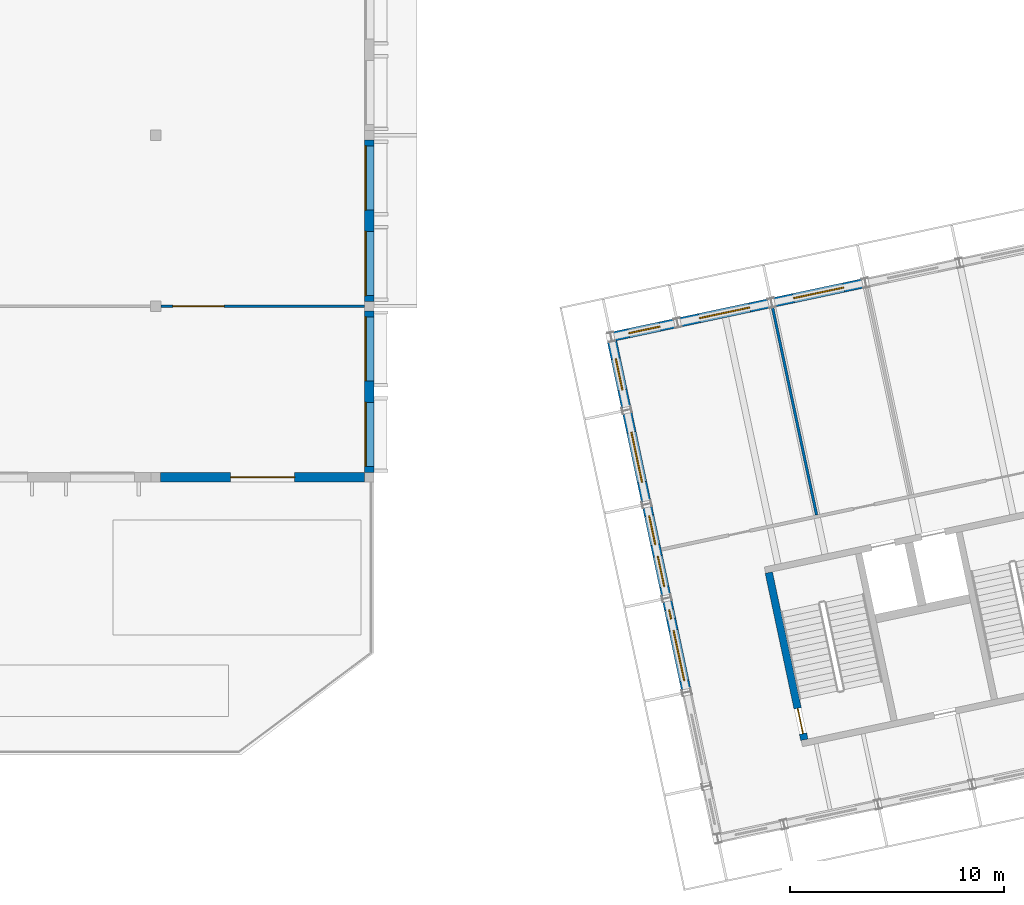
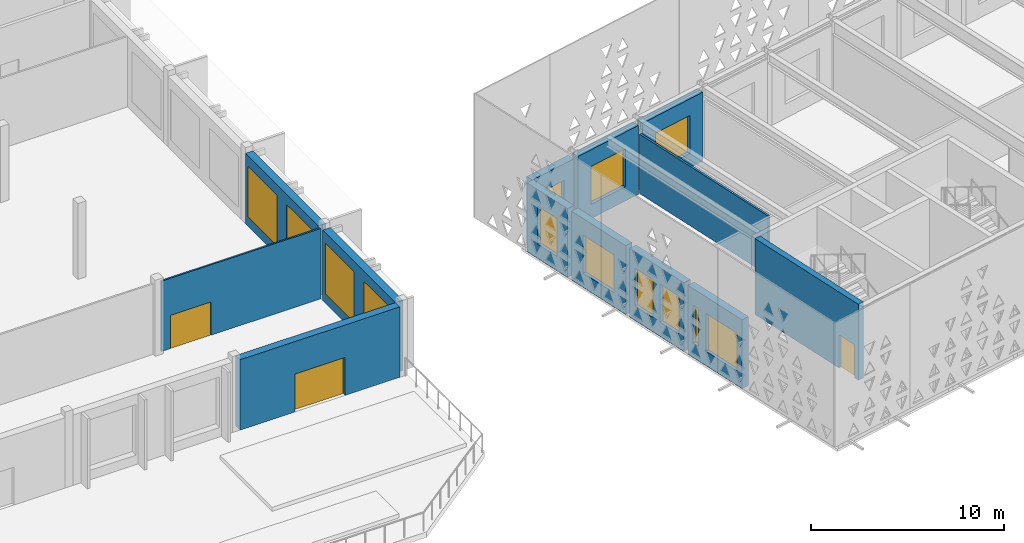
# One storey, part 114 of 196: 13 walls, 13 windows, 3 doors, 16 openings.
"""IFC4 building model written with IfcOpenShell, lengths in metres."""

from ifc_helpers import new_model, si_unit, direction, frame, frame_2d, origin, place, context, subcontext, project, spatial, rectangle, extrude, material, layer, layer_set, type_object, element, fill, save


model = new_model("IFC4")

# Units and contexts
model_context = context("Model", 3, precision=1e-05, world=origin(), true_north=direction((0.0, 1.0)))
body_context = subcontext(model_context, "Body", "Model", "MODEL_VIEW")
ifc_project = project(units=[si_unit("LENGTHUNIT", "METRE"), si_unit("AREAUNIT", "SQUARE_METRE"), si_unit("VOLUMEUNIT", "CUBIC_METRE"), si_unit("PLANEANGLEUNIT", "RADIAN"), si_unit("MASSUNIT", "GRAM", prefix="KILO")], contexts=[model_context])

# Site, building, storey
site_placement = place(None, origin())
site = spatial("IfcSite", under=ifc_project, at=site_placement, CompositionType="ELEMENT")
building_placement = place(site_placement, origin())
building = spatial("IfcBuilding", under=site, at=building_placement, Name="Okhra Congress Centre", CompositionType="ELEMENT")
storey_placement = place(building_placement, frame((0.0, 0.0, 12.0)))
storey = spatial("IfcBuildingStorey", under=building, at=storey_placement, Name="L02", CompositionType="ELEMENT", Elevation=12.0)

# Wall, opening, door
ifc_material_1 = material(Name="Insulated metal panel on steel stud (mineral wool, vapour barrier)", Category="steel")
ifc_layer_1 = layer(ifc_material_1, 0.449951171875)
ifc_layer_set_1 = layer_set([ifc_layer_1], Name="Insulated wall 450")
wall_type_1 = type_object("IfcWallType", Name="Insulated wall 450", PredefinedType="SOLIDWALL", material=ifc_layer_set_1)
wall_1_placement = place(storey_placement, frame((36.22509765625, 44.0, 0.0), z_axis=(0.0, 0.0, 1.0), x_axis=(1.0, 0.0, 0.0)))
wall_1 = element("IfcWall", 1, at=wall_1_placement, inside=storey, type_object=wall_type_1, Name="RS.WALL.L02.4", PredefinedType="SOLIDWALL", context=body_context, shape_type="SweptSolid", body=[
    extrude(rectangle(XDim=9.5498046875, YDim=0.449951171875, at=frame_2d((4.77490234375, 0.0))), origin(), (0.0, 0.0, 1.0), 4.449951171875),
])
opening_1_placement = place(wall_1_placement, frame((3.27490234375, 0.0, 0.0)))
opening_1 = element("IfcOpeningElement", 2, at=opening_1_placement, cuts=wall_1, Name="Opening L02-035", PredefinedType="OPENING", context=body_context, shape_type="SweptSolid", body=[
    extrude(rectangle(XDim=3.0, YDim=2.39990234375, at=frame_2d((1.5, 1.199951171875))), frame((0.0, 0.23486328125, 0.0), z_axis=(0.0, -1.0, 0.0), x_axis=(1.0, 0.0, 0.0)), (0.0, 0.0, 1.0), 0.469970703125),
])
ifc_material_2 = material(Name="Aluminium-framed toughened glass door leaves", Category="aluminium")
door_type_1 = type_object("IfcDoorType", Name="Aluminium glazed door pair 3000x2400", OperationType="NOTDEFINED", PredefinedType="DOOR", material=ifc_material_2)
door_1_placement = place(opening_1_placement, frame((3.0, 0.0, 0.0), z_axis=(0.0, 0.0, 1.0), x_axis=(-1.0, 0.0, 0.0)))
door_1 = element("IfcDoor", 3, at=door_1_placement, inside=storey, type_object=door_type_1, Name="Door L02-035", OperationType="DOUBLE_DOOR_SINGLE_SWING", OverallHeight=2.39990234375, OverallWidth=3.0, PredefinedType="DOOR", context=body_context, shape_type="SweptSolid", body=[
    extrude(rectangle(XDim=3.0, YDim=2.39990234375, at=frame_2d((1.5, 1.199951171875))), frame((0.0, 0.02490234375, 0.0), z_axis=(0.0, -1.0, 0.0), x_axis=(1.0, 0.0, 0.0)), (0.0, 0.0, 1.0), 0.050048828125),
])
fill(opening_1, door_1)

# Wall, openings, windows
wall_2_placement = place(storey_placement, frame((46.0, 44.22509765625, 0.0), z_axis=(0.0, 0.0, 1.0), x_axis=(0.0, 1.0, 0.0)))
wall_2 = element("IfcWall", 4, at=wall_2_placement, inside=storey, type_object=wall_type_1, Name="RS.WALL.L02.46", PredefinedType="SOLIDWALL", context=body_context, shape_type="SweptSolid", body=[
    extrude(rectangle(XDim=7.5498046875, YDim=0.449951171875, at=frame_2d((3.77490234375, 0.0))), origin(), (0.0, 0.0, 1.0), 4.449951171875),
])
opening_2_placement = place(wall_2_placement, frame((0.27490234375, 0.0, 0.60009765625)))
opening_2 = element("IfcOpeningElement", 5, at=opening_2_placement, cuts=wall_2, Name="Opening WN18", PredefinedType="OPENING", context=body_context, shape_type="SweptSolid", body=[
    extrude(rectangle(XDim=3.0, YDim=3.199951171875, at=frame_2d((1.5, 1.60009765625))), frame((0.0, 0.23486328125, 0.0), z_axis=(0.0, -1.0, 0.0), x_axis=(1.0, 0.0, 0.0)), (0.0, 0.0, 1.0), 0.469970703125),
])
opening_3_placement = place(wall_2_placement, frame((4.27490234375, 0.0, 0.60009765625)))
opening_3 = element("IfcOpeningElement", 6, at=opening_3_placement, cuts=wall_2, Name="Opening WN18", PredefinedType="OPENING", context=body_context, shape_type="SweptSolid", body=[
    extrude(rectangle(XDim=3.0, YDim=3.199951171875, at=frame_2d((1.5, 1.60009765625))), frame((0.0, 0.23486328125, 0.0), z_axis=(0.0, -1.0, 0.0), x_axis=(1.0, 0.0, 0.0)), (0.0, 0.0, 1.0), 0.469970703125),
])
ifc_material_3 = material(Name="Thermally broken aluminium frame, triple glazing", Category="aluminium")
window_type_1 = type_object("IfcWindowType", Name="Fixed window 3000x3200", PartitioningType="SINGLE_PANEL", PredefinedType="WINDOW", material=ifc_material_3)
window_1_placement = place(opening_2_placement, origin())
window_1 = element("IfcWindow", 7, at=window_1_placement, inside=storey, type_object=window_type_1, Name="RS.WIN.L02.15", OverallHeight=3.199951171875, OverallWidth=3.0, PartitioningType="SINGLE_PANEL", PredefinedType="WINDOW", context=body_context, shape_type="SweptSolid", body=[
    extrude(rectangle(XDim=3.0, YDim=3.199951171875, at=frame_2d((1.5, 1.60009765625))), frame((0.0, 0.215087890625, 0.0), z_axis=(0.0, -1.0, 0.0), x_axis=(1.0, 0.0, 0.0)), (0.0, 0.0, 1.0), 0.06005859375),
])
fill(opening_2, window_1)
window_2_placement = place(opening_3_placement, origin())
window_2 = element("IfcWindow", 8, at=window_2_placement, inside=storey, type_object=window_type_1, Name="RS.WIN.L02.16", OverallHeight=3.199951171875, OverallWidth=3.0, PartitioningType="SINGLE_PANEL", PredefinedType="WINDOW", context=body_context, shape_type="SweptSolid", body=[
    extrude(rectangle(XDim=3.0, YDim=3.199951171875, at=frame_2d((1.5, 1.60009765625))), frame((0.0, 0.215087890625, 0.0), z_axis=(0.0, -1.0, 0.0), x_axis=(1.0, 0.0, 0.0)), (0.0, 0.0, 1.0), 0.06005859375),
])
fill(opening_3, window_2)

wall_3_placement = place(storey_placement, frame((46.0, 52.22509765625, 0.0), z_axis=(0.0, 0.0, 1.0), x_axis=(0.0, 1.0, 0.0)))
wall_3 = element("IfcWall", 9, at=wall_3_placement, inside=storey, type_object=wall_type_1, Name="RS.WALL.L02.47", PredefinedType="SOLIDWALL", context=body_context, shape_type="SweptSolid", body=[
    extrude(rectangle(XDim=7.5498046875, YDim=0.449951171875, at=frame_2d((3.77490234375, 0.0))), origin(), (0.0, 0.0, 1.0), 4.449951171875),
])
opening_4_placement = place(wall_3_placement, frame((0.27490234375, 0.0, 0.60009765625)))
opening_4 = element("IfcOpeningElement", 10, at=opening_4_placement, cuts=wall_3, Name="Opening WN18", PredefinedType="OPENING", context=body_context, shape_type="SweptSolid", body=[
    extrude(rectangle(XDim=3.0, YDim=3.199951171875, at=frame_2d((1.5, 1.60009765625))), frame((0.0, 0.23486328125, 0.0), z_axis=(0.0, -1.0, 0.0), x_axis=(1.0, 0.0, 0.0)), (0.0, 0.0, 1.0), 0.469970703125),
])
opening_5_placement = place(wall_3_placement, frame((4.27490234375, 0.0, 0.60009765625)))
opening_5 = element("IfcOpeningElement", 11, at=opening_5_placement, cuts=wall_3, Name="Opening WN18", PredefinedType="OPENING", context=body_context, shape_type="SweptSolid", body=[
    extrude(rectangle(XDim=3.0, YDim=3.199951171875, at=frame_2d((1.5, 1.60009765625))), frame((0.0, 0.23486328125, 0.0), z_axis=(0.0, -1.0, 0.0), x_axis=(1.0, 0.0, 0.0)), (0.0, 0.0, 1.0), 0.469970703125),
])
window_3_placement = place(opening_4_placement, origin())
window_3 = element("IfcWindow", 12, at=window_3_placement, inside=storey, type_object=window_type_1, Name="RS.WIN.L02.17", OverallHeight=3.199951171875, OverallWidth=3.0, PartitioningType="SINGLE_PANEL", PredefinedType="WINDOW", context=body_context, shape_type="SweptSolid", body=[
    extrude(rectangle(XDim=3.0, YDim=3.199951171875, at=frame_2d((1.5, 1.60009765625))), frame((0.0, 0.215087890625, 0.0), z_axis=(0.0, -1.0, 0.0), x_axis=(1.0, 0.0, 0.0)), (0.0, 0.0, 1.0), 0.06005859375),
])
fill(opening_4, window_3)
window_4_placement = place(opening_5_placement, origin())
window_4 = element("IfcWindow", 13, at=window_4_placement, inside=storey, type_object=window_type_1, Name="RS.WIN.L02.18", OverallHeight=3.199951171875, OverallWidth=3.0, PartitioningType="SINGLE_PANEL", PredefinedType="WINDOW", context=body_context, shape_type="SweptSolid", body=[
    extrude(rectangle(XDim=3.0, YDim=3.199951171875, at=frame_2d((1.5, 1.60009765625))), frame((0.0, 0.215087890625, 0.0), z_axis=(0.0, -1.0, 0.0), x_axis=(1.0, 0.0, 0.0)), (0.0, 0.0, 1.0), 0.06005859375),
])
fill(opening_5, window_4)

# Wall, opening, window
wall_4_placement = place(storey_placement, frame((57.4638671875, 50.591552734375, 0.0), z_axis=(0.0, 0.0, 1.0), x_axis=(0.978155181918, 0.207876020951, 0.0)))
wall_4 = element("IfcWall", 14, at=wall_4_placement, inside=storey, type_object=wall_type_1, Name="External wall N1 L02", PredefinedType="SOLIDWALL", context=body_context, shape_type="SweptSolid", body=[
    extrude(rectangle(XDim=2.875, YDim=0.449951171875, at=frame_2d((1.4375, 0.0))), origin(), (0.0, 0.0, 1.0), 4.35009765625),
])
opening_6_placement = place(wall_4_placement, frame((0.6875, 0.0, 0.89990234375)))
opening_6 = element("IfcOpeningElement", 15, at=opening_6_placement, cuts=wall_4, Name="Opening WN20", PredefinedType="OPENING", context=body_context, shape_type="SweptSolid", body=[
    extrude(rectangle(XDim=1.5, YDim=2.39990234375, at=frame_2d((0.75, 1.199951171875))), frame((0.0, 0.23486328125, 0.0), z_axis=(0.0, -1.0, 0.0), x_axis=(1.0, 0.0, 0.0)), (0.0, 0.0, 1.0), 0.469970703125),
])
window_type_2 = type_object("IfcWindowType", Name="Fixed window 1500x2400", PartitioningType="SINGLE_PANEL", PredefinedType="WINDOW", material=ifc_material_3)
window_5_placement = place(opening_6_placement, origin())
window_5 = element("IfcWindow", 16, at=window_5_placement, inside=storey, type_object=window_type_2, Name="BX.WIN.L02.37", OverallHeight=2.39990234375, OverallWidth=1.5, PartitioningType="SINGLE_PANEL", PredefinedType="WINDOW", context=body_context, shape_type="SweptSolid", body=[
    extrude(rectangle(XDim=1.5, YDim=2.39990234375, at=frame_2d((0.75, 1.199951171875))), frame((0.0, 0.030029296875, 0.0), z_axis=(0.0, -1.0, 0.0), x_axis=(1.0, 0.0, 0.0)), (0.0, 0.0, 1.0), 0.06005859375),
])
fill(opening_6, window_5)

wall_5_placement = place(storey_placement, frame((60.569580078125, 51.25146484375, 0.0), z_axis=(0.0, 0.0, 1.0), x_axis=(0.978143927149, 0.207928972925, 0.0)))
wall_5 = element("IfcWall", 17, at=wall_5_placement, inside=storey, type_object=wall_type_1, Name="External wall N2 L02", PredefinedType="SOLIDWALL", context=body_context, shape_type="SweptSolid", body=[
    extrude(rectangle(XDim=4.199951171875, YDim=0.449951171875, at=frame_2d((2.10009765625, 0.0))), origin(), (0.0, 0.0, 1.0), 4.35009765625),
])
opening_7_placement = place(wall_5_placement, frame((0.89990234375, 0.0, 0.89990234375)))
opening_7 = element("IfcOpeningElement", 18, at=opening_7_placement, cuts=wall_5, Name="Opening WN22", PredefinedType="OPENING", context=body_context, shape_type="SweptSolid", body=[
    extrude(rectangle(XDim=2.39990234375, YDim=2.39990234375, at=frame_2d((1.199951171875, 1.199951171875))), frame((0.0, 0.23486328125, 0.0), z_axis=(0.0, -1.0, 0.0), x_axis=(1.0, 0.0, 0.0)), (0.0, 0.0, 1.0), 0.469970703125),
])
window_type_3 = type_object("IfcWindowType", Name="Fixed window 2400x2400", PartitioningType="SINGLE_PANEL", PredefinedType="WINDOW", material=ifc_material_3)
window_6_placement = place(opening_7_placement, origin())
window_6 = element("IfcWindow", 19, at=window_6_placement, inside=storey, type_object=window_type_3, Name="BX.WIN.L02.38", OverallHeight=2.39990234375, OverallWidth=2.39990234375, PartitioningType="SINGLE_PANEL", PredefinedType="WINDOW", context=body_context, shape_type="SweptSolid", body=[
    extrude(rectangle(XDim=2.39990234375, YDim=2.39990234375, at=frame_2d((1.199951171875, 1.199951171875))), frame((0.0, 0.030029296875, 0.0), z_axis=(0.0, -1.0, 0.0), x_axis=(1.0, 0.0, 0.0)), (0.0, 0.0, 1.0), 0.06005859375),
])
fill(opening_7, window_6)

wall_6_placement = place(storey_placement, frame((64.97119140625, 52.187255859375, 0.0), z_axis=(0.0, 0.0, 1.0), x_axis=(0.978155748334, 0.207873355681, 0.0)))
wall_6 = element("IfcWall", 20, at=wall_6_placement, inside=storey, type_object=wall_type_1, Name="External wall N3 L02", PredefinedType="SOLIDWALL", context=body_context, shape_type="SweptSolid", body=[
    extrude(rectangle(XDim=4.199951171875, YDim=0.449951171875, at=frame_2d((2.10009765625, 0.0))), origin(), (0.0, 0.0, 1.0), 4.35009765625),
])
opening_8_placement = place(wall_6_placement, frame((0.89990234375, 0.0, 0.89990234375)))
opening_8 = element("IfcOpeningElement", 21, at=opening_8_placement, cuts=wall_6, Name="Opening WN22", PredefinedType="OPENING", context=body_context, shape_type="SweptSolid", body=[
    extrude(rectangle(XDim=2.39990234375, YDim=2.39990234375, at=frame_2d((1.199951171875, 1.199951171875))), frame((0.0, 0.23486328125, 0.0), z_axis=(0.0, -1.0, 0.0), x_axis=(1.0, 0.0, 0.0)), (0.0, 0.0, 1.0), 0.469970703125),
])
window_7_placement = place(opening_8_placement, origin())
window_7 = element("IfcWindow", 22, at=window_7_placement, inside=storey, type_object=window_type_3, Name="BX.WIN.L02.39", OverallHeight=2.39990234375, OverallWidth=2.39990234375, PartitioningType="SINGLE_PANEL", PredefinedType="WINDOW", context=body_context, shape_type="SweptSolid", body=[
    extrude(rectangle(XDim=2.39990234375, YDim=2.39990234375, at=frame_2d((1.199951171875, 1.199951171875))), frame((0.0, 0.030029296875, 0.0), z_axis=(0.0, -1.0, 0.0), x_axis=(1.0, 0.0, 0.0)), (0.0, 0.0, 1.0), 0.06005859375),
])
fill(opening_8, window_7)

# Wall, openings, windows
wall_7_placement = place(storey_placement, frame((60.821533203125, 34.073486328125, 0.0), z_axis=(0.0, 0.0, 1.0), x_axis=(-0.207917150959, 0.978146440129, 0.0)))
wall_7 = element("IfcWall", 23, at=wall_7_placement, inside=storey, type_object=wall_type_1, Name="External wall W3 L02", PredefinedType="SOLIDWALL", context=body_context, shape_type="SweptSolid", body=[
    extrude(rectangle(XDim=4.2001953125, YDim=0.449951171875, at=frame_2d((2.10009765625, 0.0))), origin(), (0.0, 0.0, 1.0), 4.35009765625),
])
opening_9_placement = place(wall_7_placement, frame((0.39990234375, 0.0, 0.89990234375)))
opening_9 = element("IfcOpeningElement", 24, at=opening_9_placement, cuts=wall_7, Name="Opening WN26", PredefinedType="OPENING", context=body_context, shape_type="SweptSolid", body=[
    extrude(rectangle(XDim=2.405029296875, YDim=2.39990234375, at=frame_2d((1.20263671875, 1.199951171875))), frame((0.0, 0.23486328125, 0.0), z_axis=(0.0, -1.0, 0.0), x_axis=(1.0, 0.0, 0.0)), (0.0, 0.0, 1.0), 0.469970703125),
])
opening_10_placement = place(wall_7_placement, frame((3.35498046875, 0.0, 0.89990234375)))
opening_10 = element("IfcOpeningElement", 25, at=opening_10_placement, cuts=wall_7, Name="Opening WN27", PredefinedType="OPENING", context=body_context, shape_type="SweptSolid", body=[
    extrude(rectangle(XDim=0.445068359375, YDim=2.39990234375, at=frame_2d((0.22265625, 1.199951171875))), frame((0.0, 0.23486328125, 0.0), z_axis=(0.0, -1.0, 0.0), x_axis=(1.0, 0.0, 0.0)), (0.0, 0.0, 1.0), 0.469970703125),
])
window_type_4 = type_object("IfcWindowType", Name="Fixed window 2405x2400", PartitioningType="SINGLE_PANEL", PredefinedType="WINDOW", material=ifc_material_3)
window_8_placement = place(opening_9_placement, origin())
window_8 = element("IfcWindow", 26, at=window_8_placement, inside=storey, type_object=window_type_4, Name="BX.WIN.L02.66", OverallHeight=2.39990234375, OverallWidth=2.405029296875, PartitioningType="SINGLE_PANEL", PredefinedType="WINDOW", context=body_context, shape_type="SweptSolid", body=[
    extrude(rectangle(XDim=2.405029296875, YDim=2.39990234375, at=frame_2d((1.20263671875, 1.199951171875))), frame((0.0, 0.030029296875, 0.0), z_axis=(0.0, -1.0, 0.0), x_axis=(1.0, 0.0, 0.0)), (0.0, 0.0, 1.0), 0.06005859375),
])
fill(opening_9, window_8)
window_type_5 = type_object("IfcWindowType", Name="Fixed window 445x2400", PartitioningType="SINGLE_PANEL", PredefinedType="WINDOW", material=ifc_material_3)
window_9_placement = place(opening_10_placement, origin())
window_9 = element("IfcWindow", 27, at=window_9_placement, inside=storey, type_object=window_type_5, Name="BX.WIN.L02.67", OverallHeight=2.39990234375, OverallWidth=0.445068359375, PartitioningType="SINGLE_PANEL", PredefinedType="WINDOW", context=body_context, shape_type="SweptSolid", body=[
    extrude(rectangle(XDim=0.445068359375, YDim=2.39990234375, at=frame_2d((0.22265625, 1.199951171875))), frame((0.0, 0.030029296875, 0.0), z_axis=(0.0, -1.0, 0.0), x_axis=(1.0, 0.0, 0.0)), (0.0, 0.0, 1.0), 0.06005859375),
])
fill(opening_10, window_9)

wall_8_placement = place(storey_placement, frame((59.885986328125, 38.475341796875, 0.0), z_axis=(0.0, 0.0, 1.0), x_axis=(-0.207928972925, 0.978143927149, 0.0)))
wall_8 = element("IfcWall", 28, at=wall_8_placement, inside=storey, type_object=wall_type_1, Name="External wall W4 L02", PredefinedType="SOLIDWALL", context=body_context, shape_type="SweptSolid", body=[
    extrude(rectangle(XDim=4.199951171875, YDim=0.449951171875, at=frame_2d((2.10009765625, 0.0))), origin(), (0.0, 0.0, 1.0), 4.35009765625),
])
opening_11_placement = place(wall_8_placement, frame((0.39990234375, 0.0, 0.89990234375)))
opening_11 = element("IfcOpeningElement", 29, at=opening_11_placement, cuts=wall_8, Name="Opening WN28", PredefinedType="OPENING", context=body_context, shape_type="SweptSolid", body=[
    extrude(rectangle(XDim=1.455078125, YDim=2.39990234375, at=frame_2d((0.7275390625, 1.199951171875))), frame((0.0, 0.23486328125, 0.0), z_axis=(0.0, -1.0, 0.0), x_axis=(1.0, 0.0, 0.0)), (0.0, 0.0, 1.0), 0.469970703125),
])
opening_12_placement = place(wall_8_placement, frame((2.405029296875, 0.0, 0.89990234375)))
opening_12 = element("IfcOpeningElement", 30, at=opening_12_placement, cuts=wall_8, Name="Opening WN29", PredefinedType="OPENING", context=body_context, shape_type="SweptSolid", body=[
    extrude(rectangle(XDim=1.39501953125, YDim=2.39990234375, at=frame_2d((0.697509765625, 1.199951171875))), frame((0.0, 0.23486328125, 0.0), z_axis=(0.0, -1.0, 0.0), x_axis=(1.0, 0.0, 0.0)), (0.0, 0.0, 1.0), 0.469970703125),
])
window_type_6 = type_object("IfcWindowType", Name="Fixed window 1395x2400", PartitioningType="SINGLE_PANEL", PredefinedType="WINDOW", material=ifc_material_3)
window_10_placement = place(opening_12_placement, origin())
window_10 = element("IfcWindow", 31, at=window_10_placement, inside=storey, type_object=window_type_6, Name="BX.WIN.L02.69", OverallHeight=2.39990234375, OverallWidth=1.39501953125, PartitioningType="SINGLE_PANEL", PredefinedType="WINDOW", context=body_context, shape_type="SweptSolid", body=[
    extrude(rectangle(XDim=1.39501953125, YDim=2.39990234375, at=frame_2d((0.697509765625, 1.199951171875))), frame((0.0, 0.030029296875, 0.0), z_axis=(0.0, -1.0, 0.0), x_axis=(1.0, 0.0, 0.0)), (0.0, 0.0, 1.0), 0.06005859375),
])
fill(opening_12, window_10)
window_type_7 = type_object("IfcWindowType", Name="Fixed window 1455x2400", PartitioningType="SINGLE_PANEL", PredefinedType="WINDOW", material=ifc_material_3)
window_11_placement = place(opening_11_placement, origin())
window_11 = element("IfcWindow", 32, at=window_11_placement, inside=storey, type_object=window_type_7, Name="BX.WIN.L02.68", OverallHeight=2.39990234375, OverallWidth=1.455078125, PartitioningType="SINGLE_PANEL", PredefinedType="WINDOW", context=body_context, shape_type="SweptSolid", body=[
    extrude(rectangle(XDim=1.455078125, YDim=2.39990234375, at=frame_2d((0.7275390625, 1.199951171875))), frame((0.0, 0.030029296875, 0.0), z_axis=(0.0, -1.0, 0.0), x_axis=(1.0, 0.0, 0.0)), (0.0, 0.0, 1.0), 0.06005859375),
])
fill(opening_11, window_11)

# Wall, opening, window
wall_9_placement = place(storey_placement, frame((58.9501953125, 42.876953125, 0.0), z_axis=(0.0, 0.0, 1.0), x_axis=(-0.207873355681, 0.978155748334, 0.0)))
wall_9 = element("IfcWall", 33, at=wall_9_placement, inside=storey, type_object=wall_type_1, Name="External wall W5 L02", PredefinedType="SOLIDWALL", context=body_context, shape_type="SweptSolid", body=[
    extrude(rectangle(XDim=4.199951171875, YDim=0.449951171875, at=frame_2d((2.10009765625, 0.0))), origin(), (0.0, 0.0, 1.0), 4.35009765625),
])
opening_13_placement = place(wall_9_placement, frame((0.89990234375, 0.0, 0.89990234375)))
opening_13 = element("IfcOpeningElement", 34, at=opening_13_placement, cuts=wall_9, Name="Opening WN22", PredefinedType="OPENING", context=body_context, shape_type="SweptSolid", body=[
    extrude(rectangle(XDim=2.39990234375, YDim=2.39990234375, at=frame_2d((1.199951171875, 1.199951171875))), frame((0.0, 0.23486328125, 0.0), z_axis=(0.0, -1.0, 0.0), x_axis=(1.0, 0.0, 0.0)), (0.0, 0.0, 1.0), 0.469970703125),
])
window_12_placement = place(opening_13_placement, origin())
window_12 = element("IfcWindow", 35, at=window_12_placement, inside=storey, type_object=window_type_3, Name="BX.WIN.L02.70", OverallHeight=2.39990234375, OverallWidth=2.39990234375, PartitioningType="SINGLE_PANEL", PredefinedType="WINDOW", context=body_context, shape_type="SweptSolid", body=[
    extrude(rectangle(XDim=2.39990234375, YDim=2.39990234375, at=frame_2d((1.199951171875, 1.199951171875))), frame((0.0, 0.030029296875, 0.0), z_axis=(0.0, -1.0, 0.0), x_axis=(1.0, 0.0, 0.0)), (0.0, 0.0, 1.0), 0.06005859375),
])
fill(opening_13, window_12)

wall_10_placement = place(storey_placement, frame((58.0146484375, 47.278564453125, 0.0), z_axis=(0.0, 0.0, 1.0), x_axis=(-0.207933268122, 0.978143014087, 0.0)))
wall_10 = element("IfcWall", 36, at=wall_10_placement, inside=storey, type_object=wall_type_1, Name="External wall W6 L02", PredefinedType="SOLIDWALL", context=body_context, shape_type="SweptSolid", body=[
    extrude(rectangle(XDim=3.135009765625, YDim=0.449951171875, at=frame_2d((1.5673828125, 0.0))), origin(), (0.0, 0.0, 1.0), 4.35009765625),
])
opening_14_placement = place(wall_10_placement, frame((0.8173828125, 0.0, 0.89990234375)))
opening_14 = element("IfcOpeningElement", 37, at=opening_14_placement, cuts=wall_10, Name="Opening WN20", PredefinedType="OPENING", context=body_context, shape_type="SweptSolid", body=[
    extrude(rectangle(XDim=1.5, YDim=2.39990234375, at=frame_2d((0.75, 1.199951171875))), frame((0.0, 0.23486328125, 0.0), z_axis=(0.0, -1.0, 0.0), x_axis=(1.0, 0.0, 0.0)), (0.0, 0.0, 1.0), 0.469970703125),
])
window_13_placement = place(opening_14_placement, origin())
window_13 = element("IfcWindow", 38, at=window_13_placement, inside=storey, type_object=window_type_2, Name="BX.WIN.L02.71", OverallHeight=2.39990234375, OverallWidth=1.5, PartitioningType="SINGLE_PANEL", PredefinedType="WINDOW", context=body_context, shape_type="SweptSolid", body=[
    extrude(rectangle(XDim=1.5, YDim=2.39990234375, at=frame_2d((0.75, 1.199951171875))), frame((0.0, 0.030029296875, 0.0), z_axis=(0.0, -1.0, 0.0), x_axis=(1.0, 0.0, 0.0)), (0.0, 0.0, 1.0), 0.06005859375),
])
fill(opening_14, window_13)

# Wall, opening, door
ifc_material_4 = material(Name="Gypsum board on steel studs", Category="steel")
ifc_layer_2 = layer(ifc_material_4, 0.10009765625)
ifc_layer_set_2 = layer_set([ifc_layer_2], Name="Partition 100 EI 15")
wall_type_2 = type_object("IfcWallType", Name="Partition 100 EI 15", PredefinedType="PARTITIONING", material=ifc_layer_set_2)
wall_11_placement = place(storey_placement, frame((36.25, 52.0, 0.0), z_axis=(0.0, 0.0, 1.0), x_axis=(1.0, 0.0, 0.0)))
wall_11 = element("IfcWall", 39, at=wall_11_placement, inside=storey, type_object=wall_type_2, Name="RS.WALL.L02.8", PredefinedType="PARTITIONING", context=body_context, shape_type="SweptSolid", body=[
    extrude(rectangle(XDim=9.52490234375, YDim=0.10009765625, at=frame_2d((4.762451171875, 0.0))), origin(), (0.0, 0.0, 1.0), 4.449951171875),
])
opening_15_placement = place(wall_11_placement, frame((0.550048828125, 0.0, 0.0)))
opening_15 = element("IfcOpeningElement", 40, at=opening_15_placement, cuts=wall_11, Name="Opening L02-029", PredefinedType="OPENING", context=body_context, shape_type="SweptSolid", body=[
    extrude(rectangle(XDim=2.39990234375, YDim=2.10009765625, at=frame_2d((1.199951171875, 1.050048828125))), frame((0.0, 0.06005859375, 0.0), z_axis=(0.0, -1.0, 0.0), x_axis=(1.0, 0.0, 0.0)), (0.0, 0.0, 1.0), 0.1201171875),
])
door_type_2 = type_object("IfcDoorType", Name="Aluminium glazed door pair 2400x2100", OperationType="NOTDEFINED", PredefinedType="DOOR", material=ifc_material_2)
door_2_placement = place(opening_15_placement, origin())
door_2 = element("IfcDoor", 41, at=door_2_placement, inside=storey, type_object=door_type_2, Name="Door L02-029", OperationType="DOUBLE_DOOR_SINGLE_SWING", OverallHeight=2.10009765625, OverallWidth=2.39990234375, PredefinedType="DOOR", context=body_context, shape_type="SweptSolid", body=[
    extrude(rectangle(XDim=2.39990234375, YDim=2.10009765625, at=frame_2d((1.199951171875, 1.050048828125))), frame((0.0, 0.02490234375, 0.0), z_axis=(0.0, -1.0, 0.0), x_axis=(1.0, 0.0, 0.0)), (0.0, 0.0, 1.0), 0.050048828125),
])
fill(opening_15, door_2)

# Wall
ifc_layer_3 = layer(ifc_material_4, 0.125)
ifc_layer_set_3 = layer_set([ifc_layer_3], Name="Partition 125")
wall_type_3 = type_object("IfcWallType", Name="Partition 125", PredefinedType="PARTITIONING", material=ifc_layer_set_3)
wall_12_placement = place(storey_placement, frame((64.871337890625, 51.935791015625, 0.0), z_axis=(0.0, 0.0, 1.0), x_axis=(0.20790935802, -0.978148096582, 0.0)))
element("IfcWall", 42, at=wall_12_placement, inside=storey, type_object=wall_type_3, Name="Partition N L02", PredefinedType="PARTITIONING", context=body_context, shape_type="SweptSolid", body=[
    extrude(rectangle(XDim=9.9248046875, YDim=0.125, at=frame_2d((4.96240234375, 0.0))), origin(), (0.0, 0.0, 1.0), 3.75),
])

# Wall, opening, door
ifc_material_5 = material(Name="Concrete C30/37", Category="concrete")
ifc_layer_4 = layer(ifc_material_5, 0.35009765625)
ifc_layer_set_4 = layer_set([ifc_layer_4], Name="RC wall 350 REI 120 C30/37")
wall_type_4 = type_object("IfcWallType", Name="RC wall 350 REI 120 C30/37", PredefinedType="SOLIDWALL", material=ifc_layer_set_4)
wall_13_placement = place(storey_placement, frame((66.3603515625, 31.703369140625, 0.0), z_axis=(0.0, 0.0, 1.0), x_axis=(-0.207915693476, 0.978146749934, 0.0)))
wall_13 = element("IfcWall", 43, at=wall_13_placement, inside=storey, type_object=wall_type_4, Name="BX.WALL.L02.K1W", PredefinedType="SOLIDWALL", context=body_context, shape_type="SweptSolid", body=[
    extrude(rectangle(XDim=8.0, YDim=0.35009765625, at=frame_2d((4.0, 0.0))), origin(), (0.0, 0.0, 1.0), 4.800048828125),
])
opening_16_placement = place(wall_13_placement, frame((0.300048828125, 0.0, 0.0)))
opening_16 = element("IfcOpeningElement", 44, at=opening_16_placement, cuts=wall_13, Name="Opening L02-038", PredefinedType="OPENING", context=body_context, shape_type="SweptSolid", body=[
    extrude(rectangle(XDim=1.199951171875, YDim=2.10009765625, at=frame_2d((0.60009765625, 1.050048828125))), frame((0.0, 0.18505859375, 0.0), z_axis=(0.0, -1.0, 0.0), x_axis=(1.0, 0.0, 0.0)), (0.0, 0.0, 1.0), 0.3701171875),
])
ifc_material_6 = material(Name="Steel fire door leaf in steel frame, intumescent seals", Category="steel")
door_type_3 = type_object("IfcDoorType", Name="Steel fire door 1200x2100 EI 30", OperationType="NOTDEFINED", PredefinedType="DOOR", material=ifc_material_6)
door_3_placement = place(opening_16_placement, origin())
door_3 = element("IfcDoor", 45, at=door_3_placement, inside=storey, type_object=door_type_3, Name="Door L02-038", OperationType="SINGLE_SWING_LEFT", OverallHeight=2.10009765625, OverallWidth=1.199951171875, PredefinedType="DOOR", context=body_context, shape_type="SweptSolid", body=[
    extrude(rectangle(XDim=1.199951171875, YDim=2.10009765625, at=frame_2d((0.60009765625, 1.050048828125))), frame((0.0, 0.02490234375, 0.0), z_axis=(0.0, -1.0, 0.0), x_axis=(1.0, 0.0, 0.0)), (0.0, 0.0, 1.0), 0.050048828125),
])
fill(opening_16, door_3)

save(model, "model.ifc")
